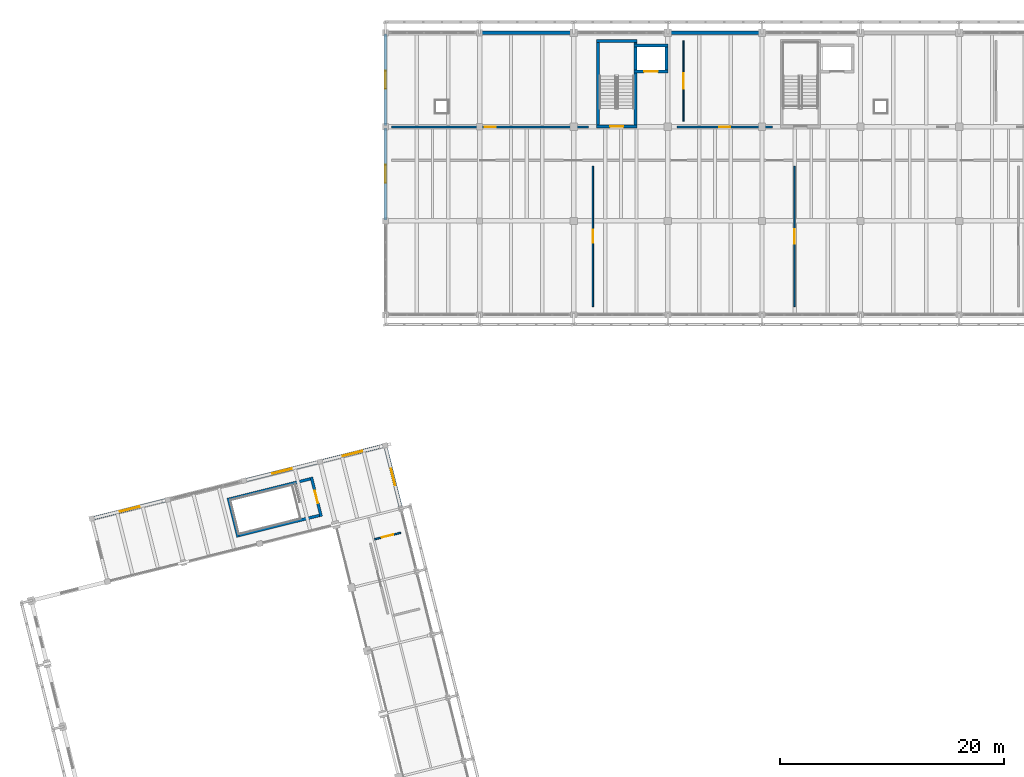
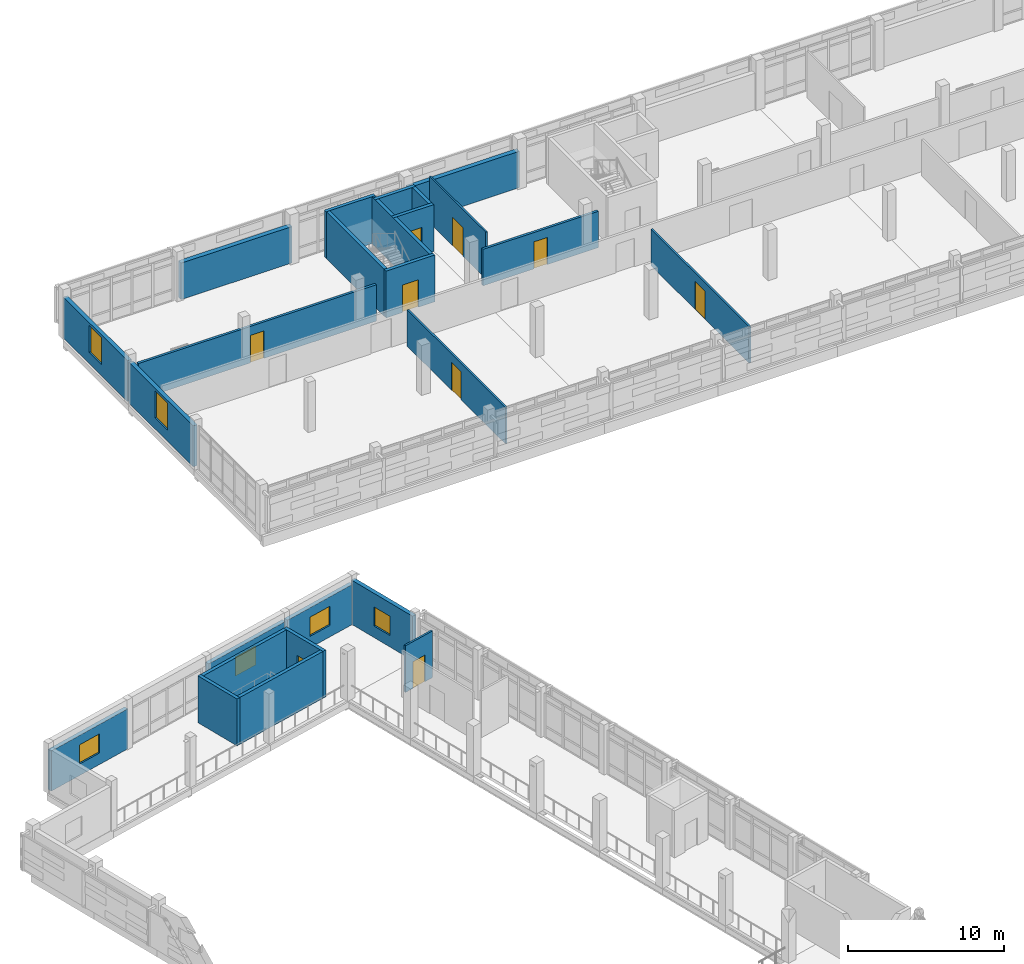
# One storey, part 98 of 117: 25 walls, 9 doors, 6 windows, 15 openings.
"""IFC4 building model written with IfcOpenShell, lengths in metres."""

from ifc_helpers import new_model, si_unit, direction, frame, frame_2d, origin, place, context, subcontext, project, spatial, rectangle, extrude, material, layer, layer_set, type_object, element, fill, save


model = new_model("IFC4")

# Units and contexts
model_context = context("Model", 3, precision=1e-05, world=origin(), true_north=direction((0.0, 1.0)))
body_context = subcontext(model_context, "Body", "Model", "MODEL_VIEW")
ifc_project = project(units=[si_unit("LENGTHUNIT", "METRE"), si_unit("AREAUNIT", "SQUARE_METRE"), si_unit("VOLUMEUNIT", "CUBIC_METRE"), si_unit("PLANEANGLEUNIT", "RADIAN"), si_unit("MASSUNIT", "GRAM", prefix="KILO")], contexts=[model_context])

# Site, building, storey
site_placement = place(None, origin())
site = spatial("IfcSite", under=ifc_project, at=site_placement, CompositionType="ELEMENT")
building_placement = place(site_placement, origin())
building = spatial("IfcBuilding", under=site, at=building_placement, Name="Cinderway Yard Community Centre", CompositionType="ELEMENT")
storey_placement = place(building_placement, frame((0.0, 0.0, 9.0)))
storey = spatial("IfcBuildingStorey", under=building, at=storey_placement, Name="L02", CompositionType="ELEMENT", Elevation=9.0)

# Wall, opening, window
ifc_material_1 = material(Name="Brick Masonry", Category="masonry")
ifc_layer_1 = layer(ifc_material_1, 0.300048828125, Name="Brick Masonry")
ifc_layer_set_1 = layer_set([ifc_layer_1], Name="Brick Masonry")
wall_type_1 = type_object("IfcWallType", Name="ENV-WAL-EXT300", PredefinedType="SOLIDWALL", material=ifc_layer_set_1)
wall_1_placement = place(storey_placement, frame((42.9580078125, 72.81396484375, 0.0), z_axis=(0.0, 0.0, 1.0), x_axis=(-0.242036480393, 0.970267149892, 0.0)))
wall_1 = element("IfcWall", 1, at=wall_1_placement, inside=storey, type_object=wall_type_1, Name="Stage East Wall ENV-WAL-L02-0049", PredefinedType="SOLIDWALL", context=body_context, shape_type="SweptSolid", body=[
    extrude(rectangle(XDim=5.6396484375, YDim=0.300048828125, at=frame_2d((2.81982421875, 0.0))), origin(), (0.0, 0.0, 1.0), 3.449951171875),
])
opening_1_placement = place(wall_1_placement, frame((2.070068359375, 0.0, 0.89990234375)))
opening_1 = element("IfcOpeningElement", 2, at=opening_1_placement, cuts=wall_1, Name="Opening W-02", PredefinedType="OPENING", context=body_context, shape_type="SweptSolid", body=[
    extrude(rectangle(XDim=1.5, YDim=1.5, at=frame_2d((0.75, 0.75))), frame((0.0, 0.159912109375, 0.0), z_axis=(0.0, -1.0, 0.0), x_axis=(1.0, 0.0, 0.0)), (0.0, 0.0, 1.0), 0.320068359375),
])
ifc_material_2 = material(Name="Laminated Low-E Glass", Category="glass")
window_type_1 = type_object("IfcWindowType", Name="ENV-WIN-W02", PartitioningType="DOUBLE_PANEL_VERTICAL", PredefinedType="WINDOW", material=ifc_material_2)
window_1_placement = place(opening_1_placement, origin())
window_1 = element("IfcWindow", 3, at=window_1_placement, inside=storey, type_object=window_type_1, Name="Exterior window ENV-WIN-L02-0037", OverallHeight=1.5, OverallWidth=1.5, PartitioningType="SINGLE_PANEL", PredefinedType="WINDOW", context=body_context, shape_type="SweptSolid", body=[
    extrude(rectangle(XDim=1.5, YDim=1.5, at=frame_2d((0.75, 0.75))), frame((0.0, 0.030029296875, 0.0), z_axis=(0.0, -1.0, 0.0), x_axis=(1.0, 0.0, 0.0)), (0.0, 0.0, 1.0), 0.06005859375),
])
fill(opening_1, window_1)

wall_2_placement = place(storey_placement, frame((15.472900390625, 71.85595703125, 0.0), z_axis=(0.0, 0.0, 1.0), x_axis=(0.970298579828, 0.24191045034, 0.0)))
wall_2 = element("IfcWall", 4, at=wall_2_placement, inside=storey, type_object=wall_type_1, Name="Stage North Wall ENV-WAL-L02-0050", PredefinedType="SOLIDWALL", context=body_context, shape_type="SweptSolid", body=[
    extrude(rectangle(XDim=6.800048828125, YDim=0.300048828125, at=frame_2d((3.39990234375, 0.0))), origin(), (0.0, 0.0, 1.0), 3.135009765625),
])
opening_2_placement = place(wall_2_placement, frame((2.5, 0.0, 0.89990234375)))
opening_2 = element("IfcOpeningElement", 5, at=opening_2_placement, cuts=wall_2, Name="Opening W-03", PredefinedType="OPENING", context=body_context, shape_type="SweptSolid", body=[
    extrude(rectangle(XDim=1.800048828125, YDim=1.5, at=frame_2d((0.89990234375, 0.75))), frame((0.0, 0.159912109375, 0.0), z_axis=(0.0, -1.0, 0.0), x_axis=(1.0, 0.0, 0.0)), (0.0, 0.0, 1.0), 0.320068359375),
])
window_type_2 = type_object("IfcWindowType", Name="ENV-WIN-W03", PartitioningType="DOUBLE_PANEL_VERTICAL", PredefinedType="WINDOW", material=ifc_material_2)
window_2_placement = place(opening_2_placement, origin())
window_2 = element("IfcWindow", 6, at=window_2_placement, inside=storey, type_object=window_type_2, Name="Exterior window ENV-WIN-L02-0038", OverallHeight=1.5, OverallWidth=1.800048828125, PartitioningType="SINGLE_PANEL", PredefinedType="WINDOW", context=body_context, shape_type="SweptSolid", body=[
    extrude(rectangle(XDim=1.800048828125, YDim=1.5, at=frame_2d((0.89990234375, 0.75))), frame((0.0, 0.030029296875, 0.0), z_axis=(0.0, -1.0, 0.0), x_axis=(1.0, 0.0, 0.0)), (0.0, 0.0, 1.0), 0.06005859375),
])
fill(opening_2, window_2)

wall_3_placement = place(storey_placement, frame((29.05810546875, 75.242919921875, 0.0), z_axis=(0.0, 0.0, 1.0), x_axis=(0.970296478685, 0.241918877831, 0.0)))
wall_3 = element("IfcWall", 7, at=wall_3_placement, inside=storey, type_object=wall_type_1, Name="Stage North Wall ENV-WAL-L02-0051", PredefinedType="SOLIDWALL", context=body_context, shape_type="SweptSolid", body=[
    extrude(rectangle(XDim=6.7998046875, YDim=0.300048828125, at=frame_2d((3.39990234375, 0.0))), origin(), (0.0, 0.0, 1.0), 3.135009765625),
])
opening_3_placement = place(wall_3_placement, frame((2.5, 0.0, 0.89990234375)))
opening_3 = element("IfcOpeningElement", 8, at=opening_3_placement, cuts=wall_3, Name="Opening W-03", PredefinedType="OPENING", context=body_context, shape_type="SweptSolid", body=[
    extrude(rectangle(XDim=1.800048828125, YDim=1.5, at=frame_2d((0.89990234375, 0.75))), frame((0.0, 0.159912109375, 0.0), z_axis=(0.0, -1.0, 0.0), x_axis=(1.0, 0.0, 0.0)), (0.0, 0.0, 1.0), 0.320068359375),
])
window_3_placement = place(opening_3_placement, origin())
window_3 = element("IfcWindow", 9, at=window_3_placement, inside=storey, type_object=window_type_2, Name="Exterior window ENV-WIN-L02-0039", OverallHeight=1.5, OverallWidth=1.800048828125, PartitioningType="SINGLE_PANEL", PredefinedType="WINDOW", context=body_context, shape_type="SweptSolid", body=[
    extrude(rectangle(XDim=1.800048828125, YDim=1.5, at=frame_2d((0.89990234375, 0.75))), frame((0.0, 0.030029296875, 0.0), z_axis=(0.0, -1.0, 0.0), x_axis=(1.0, 0.0, 0.0)), (0.0, 0.0, 1.0), 0.06005859375),
])
fill(opening_3, window_3)

wall_4_placement = place(storey_placement, frame((35.85009765625, 76.93701171875, 0.0), z_axis=(0.0, 0.0, 1.0), x_axis=(0.97029090175, 0.241941244896, 0.0)))
wall_4 = element("IfcWall", 10, at=wall_4_placement, inside=storey, type_object=wall_type_1, Name="Stage North Wall ENV-WAL-L02-0052", PredefinedType="SOLIDWALL", context=body_context, shape_type="SweptSolid", body=[
    extrude(rectangle(XDim=5.79931640625, YDim=0.300048828125, at=frame_2d((2.899658203125, 0.0))), origin(), (0.0, 0.0, 1.0), 3.135009765625),
])
opening_4_placement = place(wall_4_placement, frame((2.0, 0.0, 0.89990234375)))
opening_4 = element("IfcOpeningElement", 11, at=opening_4_placement, cuts=wall_4, Name="Opening W-03", PredefinedType="OPENING", context=body_context, shape_type="SweptSolid", body=[
    extrude(rectangle(XDim=1.800048828125, YDim=1.5, at=frame_2d((0.89990234375, 0.75))), frame((0.0, 0.159912109375, 0.0), z_axis=(0.0, -1.0, 0.0), x_axis=(1.0, 0.0, 0.0)), (0.0, 0.0, 1.0), 0.320068359375),
])
window_4_placement = place(opening_4_placement, origin())
window_4 = element("IfcWindow", 12, at=window_4_placement, inside=storey, type_object=window_type_2, Name="Exterior window ENV-WIN-L02-0040", OverallHeight=1.5, OverallWidth=1.800048828125, PartitioningType="SINGLE_PANEL", PredefinedType="WINDOW", context=body_context, shape_type="SweptSolid", body=[
    extrude(rectangle(XDim=1.800048828125, YDim=1.5, at=frame_2d((0.89990234375, 0.75))), frame((0.0, 0.030029296875, 0.0), z_axis=(0.0, -1.0, 0.0), x_axis=(1.0, 0.0, 0.0)), (0.0, 0.0, 1.0), 0.06005859375),
])
fill(opening_4, window_4)

wall_5_placement = place(storey_placement, frame((41.60009765625, 98.5, 0.0), z_axis=(0.0, 0.0, 1.0), x_axis=(0.0, 1.0, 0.0)))
wall_5 = element("IfcWall", 13, at=wall_5_placement, inside=storey, type_object=wall_type_1, Name="V4 West End Wall ENV-WAL-L02-0161", PredefinedType="SOLIDWALL", context=body_context, shape_type="SweptSolid", body=[
    extrude(rectangle(XDim=8.199951171875, YDim=0.300048828125, at=frame_2d((4.10009765625, 0.0))), origin(), (0.0, 0.0, 1.0), 3.195068359375),
])
opening_5_placement = place(wall_5_placement, frame((3.300048828125, 0.0, 0.875)))
opening_5 = element("IfcOpeningElement", 14, at=opening_5_placement, cuts=wall_5, Name="Opening W-14", PredefinedType="OPENING", context=body_context, shape_type="SweptSolid", body=[
    extrude(rectangle(XDim=1.60009765625, YDim=2.10009765625, at=frame_2d((0.800048828125, 1.050048828125))), frame((0.0, 0.159912109375, 0.0), z_axis=(0.0, -1.0, 0.0), x_axis=(1.0, 0.0, 0.0)), (0.0, 0.0, 1.0), 0.320068359375),
])
window_type_3 = type_object("IfcWindowType", Name="ENV-WIN-W14", PartitioningType="DOUBLE_PANEL_VERTICAL", PredefinedType="WINDOW", material=ifc_material_2)
window_5_placement = place(opening_5_placement, origin())
window_5 = element("IfcWindow", 15, at=window_5_placement, inside=storey, type_object=window_type_3, Name="Exterior window ENV-WIN-L02-0107", OverallHeight=2.10009765625, OverallWidth=1.60009765625, PartitioningType="SINGLE_PANEL", PredefinedType="WINDOW", context=body_context, shape_type="SweptSolid", body=[
    extrude(rectangle(XDim=1.60009765625, YDim=2.10009765625, at=frame_2d((0.800048828125, 1.050048828125))), frame((0.0, 0.030029296875, 0.0), z_axis=(0.0, -1.0, 0.0), x_axis=(1.0, 0.0, 0.0)), (0.0, 0.0, 1.0), 0.06005859375),
])
fill(opening_5, window_5)

wall_6_placement = place(storey_placement, frame((41.60009765625, 106.89990234375, 0.0), z_axis=(0.0, 0.0, 1.0), x_axis=(0.0, 1.0, 0.0)))
wall_6 = element("IfcWall", 16, at=wall_6_placement, inside=storey, type_object=wall_type_1, Name="V4 West End Wall ENV-WAL-L02-0162", PredefinedType="SOLIDWALL", context=body_context, shape_type="SweptSolid", body=[
    extrude(rectangle(XDim=8.2001953125, YDim=0.300048828125, at=frame_2d((4.10009765625, 0.0))), origin(), (0.0, 0.0, 1.0), 3.195068359375),
])
opening_6_placement = place(wall_6_placement, frame((3.300048828125, 0.0, 0.875)))
opening_6 = element("IfcOpeningElement", 17, at=opening_6_placement, cuts=wall_6, Name="Opening W-14", PredefinedType="OPENING", context=body_context, shape_type="SweptSolid", body=[
    extrude(rectangle(XDim=1.60009765625, YDim=2.10009765625, at=frame_2d((0.800048828125, 1.050048828125))), frame((0.0, 0.159912109375, 0.0), z_axis=(0.0, -1.0, 0.0), x_axis=(1.0, 0.0, 0.0)), (0.0, 0.0, 1.0), 0.320068359375),
])
window_6_placement = place(opening_6_placement, origin())
window_6 = element("IfcWindow", 18, at=window_6_placement, inside=storey, type_object=window_type_3, Name="Exterior window ENV-WIN-L02-0108", OverallHeight=2.10009765625, OverallWidth=1.60009765625, PartitioningType="SINGLE_PANEL", PredefinedType="WINDOW", context=body_context, shape_type="SweptSolid", body=[
    extrude(rectangle(XDim=1.60009765625, YDim=2.10009765625, at=frame_2d((0.800048828125, 1.050048828125))), frame((0.0, 0.030029296875, 0.0), z_axis=(0.0, -1.0, 0.0), x_axis=(1.0, 0.0, 0.0)), (0.0, 0.0, 1.0), 0.06005859375),
])
fill(opening_6, window_6)

# Walls
ifc_layer_2 = layer(ifc_material_1, 0.340087890625, Name="Brick Masonry")
ifc_layer_set_2 = layer_set([ifc_layer_2], Name="Brick Masonry")
wall_type_2 = type_object("IfcWallType", Name="ENV-WAL-EXT340", PredefinedType="SOLIDWALL", material=ifc_layer_set_2)
wall_7_placement = place(storey_placement, frame((50.10009765625, 115.199951171875, 0.0), z_axis=(0.0, 0.0, 1.0), x_axis=(1.0, 0.0, 0.0)))
element("IfcWall", 19, at=wall_7_placement, inside=storey, type_object=wall_type_2, Name="V4 Street Brick Facade Wall ENV-WAL-L02-0156", PredefinedType="SOLIDWALL", context=body_context, shape_type="SweptSolid", body=[
    extrude(rectangle(XDim=8.199951171875, YDim=0.340087890625, at=frame_2d((4.10009765625, 0.0))), origin(), (0.0, 0.0, 1.0), 2.844970703125),
])
wall_8_placement = place(storey_placement, frame((66.89990234375, 115.199951171875, 0.0), z_axis=(0.0, 0.0, 1.0), x_axis=(1.0, 0.0, 0.0)))
element("IfcWall", 20, at=wall_8_placement, inside=storey, type_object=wall_type_2, Name="V4 Street Brick Facade Wall ENV-WAL-L02-0157", PredefinedType="SOLIDWALL", context=body_context, shape_type="SweptSolid", body=[
    extrude(rectangle(XDim=8.2001953125, YDim=0.340087890625, at=frame_2d((4.10009765625, 0.0))), origin(), (0.0, 0.0, 1.0), 2.844970703125),
])

# Wall, opening, door
ifc_material_3 = material(Name="Gypsum Board Partition", Category="gypsum")
ifc_layer_3 = layer(ifc_material_3, 0.1201171875, Name="Gypsum Board Partition")
ifc_layer_set_3 = layer_set([ifc_layer_3], Name="Gypsum Board Partition")
wall_type_3 = type_object("IfcWallType", Name="INT-WAL-PRT120", PredefinedType="PARTITIONING", material=ifc_layer_set_3)
wall_9_placement = place(storey_placement, frame((68.199951171875, 107.300048828125, 0.0), z_axis=(0.0, 0.0, 1.0), x_axis=(0.0, 1.0, 0.0)))
wall_9 = element("IfcWall", 21, at=wall_9_placement, inside=storey, type_object=wall_type_3, Name="V4 L02 North Room Partition INT-PRT-L02-0314", PredefinedType="PARTITIONING", context=body_context, shape_type="SweptSolid", body=[
    extrude(rectangle(XDim=7.199951171875, YDim=0.1201171875, at=frame_2d((3.60009765625, 0.0))), origin(), (0.0, 0.0, 1.0), 3.64501953125),
])
opening_7_placement = place(wall_9_placement, frame((2.919921875, 0.0, 0.0)))
opening_7 = element("IfcOpeningElement", 22, at=opening_7_placement, cuts=wall_9, Name="Opening D-15", PredefinedType="OPENING", context=body_context, shape_type="SweptSolid", body=[
    extrude(rectangle(XDim=1.360107421875, YDim=2.219970703125, at=frame_2d((0.68017578125, 1.10986328125))), frame((0.0, 0.070068359375, 0.0), z_axis=(0.0, -1.0, 0.0), x_axis=(1.0, 0.0, 0.0)), (0.0, 0.0, 1.0), 0.14013671875),
])
ifc_material_4 = material(Name="Hardwood Timber", Category="wood")
door_type_1 = type_object("IfcDoorType", Name="INT-DOR-STU136", OperationType="DOUBLE_DOOR_SINGLE_SWING", PredefinedType="DOOR", material=ifc_material_4)
door_1_placement = place(opening_7_placement, origin())
door_1 = element("IfcDoor", 23, at=door_1_placement, inside=storey, type_object=door_type_1, Name="Room door INT-DOR-L02-0228", OperationType="DOUBLE_DOOR_SINGLE_SWING", OverallHeight=2.219970703125, OverallWidth=1.360107421875, PredefinedType="DOOR", context=body_context, shape_type="SweptSolid", body=[
    extrude(rectangle(XDim=1.360107421875, YDim=2.219970703125, at=frame_2d((0.68017578125, 1.10986328125))), frame((0.0, 0.02490234375, 0.0), z_axis=(0.0, -1.0, 0.0), x_axis=(1.0, 0.0, 0.0)), (0.0, 0.0, 1.0), 0.050048828125),
])
fill(opening_7, door_1)

ifc_layer_4 = layer(ifc_material_3, 0.139892578125, Name="Gypsum Board Partition")
ifc_layer_set_4 = layer_set([ifc_layer_4], Name="Gypsum Board Partition")
wall_type_4 = type_object("IfcWallType", Name="INT-WAL-PRT140", PredefinedType="PARTITIONING", material=ifc_layer_set_4)
wall_10_placement = place(storey_placement, frame((40.6240234375, 69.985107421875, 0.0), z_axis=(0.0, 0.0, 1.0), x_axis=(0.970327865017, 0.241792957656, 0.0)))
wall_10 = element("IfcWall", 24, at=wall_10_placement, inside=storey, type_object=wall_type_4, Name="V1 Gallery Sanitary Partition INT-PRT-L02-0248", PredefinedType="PARTITIONING", context=body_context, shape_type="SweptSolid", body=[
    extrude(rectangle(XDim=2.39794921875, YDim=0.139892578125, at=frame_2d((1.198974609375, 0.0))), origin(), (0.0, 0.0, 1.0), 3.64501953125),
])
opening_8_placement = place(wall_10_placement, frame((0.678955078125, 0.0, 0.0)))
opening_8 = element("IfcOpeningElement", 25, at=opening_8_placement, cuts=wall_10, Name="Opening D-17", PredefinedType="OPENING", context=body_context, shape_type="SweptSolid", body=[
    extrude(rectangle(XDim=1.0400390625, YDim=2.080078125, at=frame_2d((0.52001953125, 1.0400390625))), frame((0.0, 0.079833984375, 0.0), z_axis=(0.0, -1.0, 0.0), x_axis=(1.0, 0.0, 0.0)), (0.0, 0.0, 1.0), 0.159912109375),
])
door_type_2 = type_object("IfcDoorType", Name="INT-DOR-NUR104", OperationType="NOTDEFINED", PredefinedType="DOOR", material=ifc_material_4)
door_2_placement = place(opening_8_placement, origin())
door_2 = element("IfcDoor", 26, at=door_2_placement, inside=storey, type_object=door_type_2, Name="Room door INT-DOR-L02-0196", OperationType="SINGLE_SWING_RIGHT", OverallHeight=2.080078125, OverallWidth=1.0400390625, PredefinedType="DOOR", context=body_context, shape_type="SweptSolid", body=[
    extrude(rectangle(XDim=1.0400390625, YDim=2.080078125, at=frame_2d((0.52001953125, 1.0400390625))), frame((0.0, 0.02490234375, 0.0), z_axis=(0.0, -1.0, 0.0), x_axis=(1.0, 0.0, 0.0)), (0.0, 0.0, 1.0), 0.050048828125),
])
fill(opening_8, door_2)

wall_11_placement = place(storey_placement, frame((60.10009765625, 90.75, 0.0), z_axis=(0.0, 0.0, 1.0), x_axis=(0.0, 1.0, 0.0)))
wall_11 = element("IfcWall", 27, at=wall_11_placement, inside=storey, type_object=wall_type_4, Name="V4 L02 South Room Partition INT-PRT-L02-0310", PredefinedType="PARTITIONING", context=body_context, shape_type="SweptSolid", body=[
    extrude(rectangle(XDim=12.550048828125, YDim=0.139892578125, at=frame_2d((6.27490234375, 0.0))), origin(), (0.0, 0.0, 1.0), 2.844970703125),
])
opening_9_placement = place(wall_11_placement, frame((5.68505859375, 0.0, 0.0)))
opening_9 = element("IfcOpeningElement", 28, at=opening_9_placement, cuts=wall_11, Name="Opening D-11", PredefinedType="OPENING", context=body_context, shape_type="SweptSolid", body=[
    extrude(rectangle(XDim=1.179931640625, YDim=2.179931640625, at=frame_2d((0.58984375, 1.08984375))), frame((0.0, 0.079833984375, 0.0), z_axis=(0.0, -1.0, 0.0), x_axis=(1.0, 0.0, 0.0)), (0.0, 0.0, 1.0), 0.159912109375),
])
ifc_material_5 = material(Name="Painted Galvanised Steel", Category="steel")
door_type_3 = type_object("IfcDoorType", Name="INT-DOR-STR118", OperationType="NOTDEFINED", PredefinedType="DOOR", material=ifc_material_5)
door_3_placement = place(opening_9_placement, origin())
door_3 = element("IfcDoor", 29, at=door_3_placement, inside=storey, type_object=door_type_3, Name="Room door INT-DOR-L02-0224", OperationType="SINGLE_SWING_LEFT", OverallHeight=2.179931640625, OverallWidth=1.179931640625, PredefinedType="DOOR", context=body_context, shape_type="SweptSolid", body=[
    extrude(rectangle(XDim=1.179931640625, YDim=2.179931640625, at=frame_2d((0.58984375, 1.08984375))), frame((0.0, 0.02490234375, 0.0), z_axis=(0.0, -1.0, 0.0), x_axis=(1.0, 0.0, 0.0)), (0.0, 0.0, 1.0), 0.050048828125),
])
fill(opening_9, door_3)

wall_12_placement = place(storey_placement, frame((78.10009765625, 90.75, 0.0), z_axis=(0.0, 0.0, 1.0), x_axis=(0.0, 1.0, 0.0)))
wall_12 = element("IfcWall", 30, at=wall_12_placement, inside=storey, type_object=wall_type_4, Name="V4 L02 South Room Partition INT-PRT-L02-0311", PredefinedType="PARTITIONING", context=body_context, shape_type="SweptSolid", body=[
    extrude(rectangle(XDim=12.550048828125, YDim=0.139892578125, at=frame_2d((6.27490234375, 0.0))), origin(), (0.0, 0.0, 1.0), 2.844970703125),
])
opening_10_placement = place(wall_12_placement, frame((5.625, 0.0, 0.0)))
opening_10 = element("IfcOpeningElement", 31, at=opening_10_placement, cuts=wall_12, Name="Opening D-12", PredefinedType="OPENING", context=body_context, shape_type="SweptSolid", body=[
    extrude(rectangle(XDim=1.300048828125, YDim=2.199951171875, at=frame_2d((0.64990234375, 1.10009765625))), frame((0.0, 0.079833984375, 0.0), z_axis=(0.0, -1.0, 0.0), x_axis=(1.0, 0.0, 0.0)), (0.0, 0.0, 1.0), 0.159912109375),
])
door_type_4 = type_object("IfcDoorType", Name="INT-DOR-PLT130", OperationType="NOTDEFINED", PredefinedType="DOOR", material=ifc_material_5)
door_4_placement = place(opening_10_placement, origin())
door_4 = element("IfcDoor", 32, at=door_4_placement, inside=storey, type_object=door_type_4, Name="Room door INT-DOR-L02-0225", OperationType="SINGLE_SWING_RIGHT", OverallHeight=2.199951171875, OverallWidth=1.300048828125, PredefinedType="DOOR", context=body_context, shape_type="SweptSolid", body=[
    extrude(rectangle(XDim=1.300048828125, YDim=2.199951171875, at=frame_2d((0.64990234375, 1.10009765625))), frame((0.0, 0.02490234375, 0.0), z_axis=(0.0, -1.0, 0.0), x_axis=(1.0, 0.0, 0.0)), (0.0, 0.0, 1.0), 0.050048828125),
])
fill(opening_10, door_4)

ifc_layer_5 = layer(ifc_material_1, 0.179931640625, Name="Brick Masonry")
ifc_layer_set_5 = layer_set([ifc_layer_5], Name="Brick Masonry")
wall_type_5 = type_object("IfcWallType", Name="INT-WAL-PRT180", PredefinedType="PARTITIONING", material=ifc_layer_set_5)
wall_13_placement = place(storey_placement, frame((42.14990234375, 106.800048828125, 0.0), z_axis=(0.0, 0.0, 1.0), x_axis=(1.0, 0.0, 0.0)))
wall_13 = element("IfcWall", 33, at=wall_13_placement, inside=storey, type_object=wall_type_5, Name="V4 L02 North Corridor Spine INT-PRT-L02-0306", PredefinedType="PARTITIONING", context=body_context, shape_type="SweptSolid", body=[
    extrude(rectangle(XDim=17.580078125, YDim=0.179931640625, at=frame_2d((8.7900390625, 0.0))), origin(), (0.0, 0.0, 1.0), 2.844970703125),
])
opening_11_placement = place(wall_13_placement, frame((8.2900390625, 0.0, 0.0)))
opening_11 = element("IfcOpeningElement", 34, at=opening_11_placement, cuts=wall_13, Name="Opening D-05", PredefinedType="OPENING", context=body_context, shape_type="SweptSolid", body=[
    extrude(rectangle(XDim=1.0, YDim=2.139892578125, at=frame_2d((0.5, 1.06982421875))), frame((0.0, 0.099853515625, 0.0), z_axis=(0.0, -1.0, 0.0), x_axis=(1.0, 0.0, 0.0)), (0.0, 0.0, 1.0), 0.199951171875),
])
door_type_5 = type_object("IfcDoorType", Name="INT-DOR-CLS100", OperationType="NOTDEFINED", PredefinedType="DOOR", material=ifc_material_4)
door_5_placement = place(opening_11_placement, origin())
door_5 = element("IfcDoor", 35, at=door_5_placement, inside=storey, type_object=door_type_5, Name="Room door INT-DOR-L02-0218", OperationType="SINGLE_SWING_LEFT", OverallHeight=2.139892578125, OverallWidth=1.0, PredefinedType="DOOR", context=body_context, shape_type="SweptSolid", body=[
    extrude(rectangle(XDim=1.0, YDim=2.139892578125, at=frame_2d((0.5, 1.06982421875))), frame((0.0, 0.02490234375, 0.0), z_axis=(0.0, -1.0, 0.0), x_axis=(1.0, 0.0, 0.0)), (0.0, 0.0, 1.0), 0.050048828125),
])
fill(opening_11, door_5)

wall_14_placement = place(storey_placement, frame((67.60009765625, 106.800048828125, 0.0), z_axis=(0.0, 0.0, 1.0), x_axis=(1.0, 0.0, 0.0)))
wall_14 = element("IfcWall", 36, at=wall_14_placement, inside=storey, type_object=wall_type_5, Name="V4 L02 North Corridor Spine INT-PRT-L02-0307", PredefinedType="PARTITIONING", context=body_context, shape_type="SweptSolid", body=[
    extrude(rectangle(XDim=8.52978515625, YDim=0.179931640625, at=frame_2d((4.264892578125, 0.0))), origin(), (0.0, 0.0, 1.0), 2.844970703125),
])
opening_12_placement = place(wall_14_placement, frame((3.77490234375, 0.0, 0.0)))
opening_12 = element("IfcOpeningElement", 37, at=opening_12_placement, cuts=wall_14, Name="Opening D-06", PredefinedType="OPENING", context=body_context, shape_type="SweptSolid", body=[
    extrude(rectangle(XDim=0.97998046875, YDim=2.1201171875, at=frame_2d((0.489990234375, 1.06005859375))), frame((0.0, 0.099853515625, 0.0), z_axis=(0.0, -1.0, 0.0), x_axis=(1.0, 0.0, 0.0)), (0.0, 0.0, 1.0), 0.199951171875),
])
door_type_6 = type_object("IfcDoorType", Name="INT-DOR-OFF098", OperationType="NOTDEFINED", PredefinedType="DOOR", material=ifc_material_4)
door_6_placement = place(opening_12_placement, origin())
door_6 = element("IfcDoor", 38, at=door_6_placement, inside=storey, type_object=door_type_6, Name="Room door INT-DOR-L02-0219", OperationType="SINGLE_SWING_RIGHT", OverallHeight=2.1201171875, OverallWidth=0.97998046875, PredefinedType="DOOR", context=body_context, shape_type="SweptSolid", body=[
    extrude(rectangle(XDim=0.97998046875, YDim=2.1201171875, at=frame_2d((0.489990234375, 1.06005859375))), frame((0.0, 0.02490234375, 0.0), z_axis=(0.0, -1.0, 0.0), x_axis=(1.0, 0.0, 0.0)), (0.0, 0.0, 1.0), 0.050048828125),
])
fill(opening_12, door_6)

ifc_material_6 = material(Name="Concrete C40/50", Category="concrete")
ifc_layer_6 = layer(ifc_material_6, 0.25, Name="Concrete C40/50")
ifc_layer_set_6 = layer_set([ifc_layer_6], Name="Concrete C40/50")
wall_type_6 = type_object("IfcWallType", Name="INT-WAL-SHR250", PredefinedType="SHEAR", material=ifc_layer_set_6)
wall_15_placement = place(storey_placement, frame((64.044921875, 106.830078125, 0.0), z_axis=(0.0, 0.0, 1.0), x_axis=(-1.0, 0.0, 0.0)))
wall_15 = element("IfcWall", 39, at=wall_15_placement, inside=storey, type_object=wall_type_6, Name="Stair ST-01 Entry Wall INT-WAL-L02-0009", PredefinedType="SHEAR", context=body_context, shape_type="SweptSolid", body=[
    extrude(rectangle(XDim=3.60986328125, YDim=0.25, at=frame_2d((1.804931640625, 0.0))), origin(), (0.0, 0.0, 1.0), 3.659912109375),
])
opening_13_placement = place(wall_15_placement, frame((1.205078125, 0.0, 0.0)))
opening_13 = element("IfcOpeningElement", 40, at=opening_13_placement, cuts=wall_15, Name="Opening D-ST1", PredefinedType="OPENING", context=body_context, shape_type="SweptSolid", body=[
    extrude(rectangle(XDim=1.199951171875, YDim=2.14990234375, at=frame_2d((0.60009765625, 1.074951171875))), frame((0.0, 0.135009765625, 0.0), z_axis=(0.0, -1.0, 0.0), x_axis=(1.0, 0.0, 0.0)), (0.0, 0.0, 1.0), 0.27001953125),
])
door_type_7 = type_object("IfcDoorType", Name="INT-DOR-ST120", OperationType="NOTDEFINED", PredefinedType="DOOR", material=ifc_material_5)
door_7_placement = place(opening_13_placement, origin())
door_7 = element("IfcDoor", 41, at=door_7_placement, inside=storey, type_object=door_type_7, Name="Core door INT-DOR-L02-0003", OperationType="SINGLE_SWING_LEFT", OverallHeight=2.14990234375, OverallWidth=1.199951171875, PredefinedType="DOOR", context=body_context, shape_type="SweptSolid", body=[
    extrude(rectangle(XDim=1.199951171875, YDim=2.14990234375, at=frame_2d((0.60009765625, 1.074951171875))), frame((0.0, 0.02490234375, 0.0), z_axis=(0.0, -1.0, 0.0), x_axis=(1.0, 0.0, 0.0)), (0.0, 0.0, 1.0), 0.050048828125),
])
fill(opening_13, door_7)

# Walls
wall_16_placement = place(storey_placement, frame((60.43505859375, 114.469970703125, 0.0), z_axis=(0.0, 0.0, 1.0), x_axis=(1.0, 0.0, 0.0)))
element("IfcWall", 42, at=wall_16_placement, inside=storey, type_object=wall_type_6, Name="Stair ST-01 Back Wall INT-WAL-L02-0010", PredefinedType="SHEAR", context=body_context, shape_type="SweptSolid", body=[
    extrude(rectangle(XDim=3.60986328125, YDim=0.25, at=frame_2d((1.804931640625, 0.0))), origin(), (0.0, 0.0, 1.0), 3.659912109375),
])
for number, where, z_axis, x_axis, name in (
    (43, (60.56005859375, 106.955078125, 0.0), (0.0, 0.0, 1.0), (0.0, 1.0, 0.0), "Stair ST-01 Side Wall L INT-WAL-L02-0011"),
    (44, (63.919921875, 114.344970703125, 0.0), (0.0, 0.0, 1.0), (0.0, -1.0, 0.0), "Stair ST-01 Side Wall R INT-WAL-L02-0012"),
):
    element("IfcWall", number, at=place(storey_placement, frame(where, z_axis=z_axis, x_axis=x_axis)), inside=storey, type_object=wall_type_6, Name=name, PredefinedType="SHEAR", context=body_context, shape_type="SweptSolid", body=[
        extrude(rectangle(XDim=7.389892578125, YDim=0.25, at=frame_2d((3.69482421875, 0.0))), origin(), (0.0, 0.0, 1.0), 3.659912109375),
    ])

# Wall, opening, door
wall_17_placement = place(storey_placement, frame((63.800048828125, 111.72998046875, 0.0), z_axis=(0.0, 0.0, 1.0), x_axis=(1.0, 0.0, 0.0)))
wall_17 = element("IfcWall", 45, at=wall_17_placement, inside=storey, type_object=wall_type_6, Name="Lift LF-01 South Wall INT-WAL-L02-0031", PredefinedType="SHEAR", context=body_context, shape_type="SweptSolid", body=[
    extrude(rectangle(XDim=3.0, YDim=0.25, at=frame_2d((1.5, 0.0))), origin(), (0.0, 0.0, 1.0), 3.659912109375),
])
opening_14_placement = place(wall_17_placement, frame((0.889892578125, 0.0, 0.0)))
opening_14 = element("IfcOpeningElement", 46, at=opening_14_placement, cuts=wall_17, Name="Opening LD-02", PredefinedType="OPENING", context=body_context, shape_type="SweptSolid", body=[
    extrude(rectangle(XDim=1.219970703125, YDim=2.179931640625, at=frame_2d((0.60986328125, 1.08984375))), frame((0.0, 0.135009765625, 0.0), z_axis=(0.0, -1.0, 0.0), x_axis=(1.0, 0.0, 0.0)), (0.0, 0.0, 1.0), 0.27001953125),
])
door_type_8 = type_object("IfcDoorType", Name="INT-DOR-LD02", OperationType="SLIDING_TO_RIGHT", PredefinedType="DOOR", material=ifc_material_5)
door_8_placement = place(opening_14_placement, origin())
door_8 = element("IfcDoor", 47, at=door_8_placement, inside=storey, type_object=door_type_8, Name="Lift landing door INT-DOR-L02-0009", OperationType="SLIDING_TO_RIGHT", OverallHeight=2.179931640625, OverallWidth=1.219970703125, PredefinedType="DOOR", context=body_context, shape_type="SweptSolid", body=[
    extrude(rectangle(XDim=1.219970703125, YDim=2.179931640625, at=frame_2d((0.60986328125, 1.08984375))), frame((0.0, 0.02490234375, 0.0), z_axis=(0.0, -1.0, 0.0), x_axis=(1.0, 0.0, 0.0)), (0.0, 0.0, 1.0), 0.050048828125),
])
fill(opening_14, door_8)

# Walls
wall_18_placement = place(storey_placement, frame((66.800048828125, 114.070068359375, 0.0), z_axis=(0.0, 0.0, 1.0), x_axis=(-1.0, 0.0, 0.0)))
element("IfcWall", 48, at=wall_18_placement, inside=storey, type_object=wall_type_6, Name="Lift LF-01 North Wall INT-WAL-L02-0032", PredefinedType="SHEAR", context=body_context, shape_type="SweptSolid", body=[
    extrude(rectangle(XDim=3.0, YDim=0.25, at=frame_2d((1.5, 0.0))), origin(), (0.0, 0.0, 1.0), 3.659912109375),
])
wall_19_placement = place(storey_placement, frame((66.669921875, 111.860107421875, 0.0), z_axis=(0.0, 0.0, 1.0), x_axis=(0.0, 1.0, 0.0)))
element("IfcWall", 49, at=wall_19_placement, inside=storey, type_object=wall_type_6, Name="Lift LF-01 East Wall INT-WAL-L02-0033", PredefinedType="SHEAR", context=body_context, shape_type="SweptSolid", body=[
    extrude(rectangle(XDim=2.079833984375, YDim=0.25, at=frame_2d((1.0400390625, 0.0))), origin(), (0.0, 0.0, 1.0), 3.659912109375),
])

# Wall, opening, door
wall_20_placement = place(storey_placement, frame((34.98388671875, 75.531005859375, 0.0), z_axis=(0.0, 0.0, 1.0), x_axis=(0.242090083699, -0.97025377679, 0.0)))
wall_20 = element("IfcWall", 50, at=wall_20_placement, inside=storey, type_object=wall_type_6, Name="Stair ST-06 Entry Wall INT-WAL-L02-0157", PredefinedType="SHEAR", context=body_context, shape_type="SweptSolid", body=[
    extrude(rectangle(XDim=3.6103515625, YDim=0.25, at=frame_2d((1.80517578125, 0.0))), origin(), (0.0, 0.0, 1.0), 3.659912109375),
])
opening_15_placement = place(wall_20_placement, frame((1.235107421875, 0.0, 0.0)))
opening_15 = element("IfcOpeningElement", 51, at=opening_15_placement, cuts=wall_20, Name="Opening D-ST2", PredefinedType="OPENING", context=body_context, shape_type="SweptSolid", body=[
    extrude(rectangle(XDim=1.139892578125, YDim=2.14990234375, at=frame_2d((0.56982421875, 1.074951171875))), frame((0.0, 0.135009765625, 0.0), z_axis=(0.0, -1.0, 0.0), x_axis=(1.0, 0.0, 0.0)), (0.0, 0.0, 1.0), 0.27001953125),
])
door_type_9 = type_object("IfcDoorType", Name="INT-DOR-ST114", OperationType="NOTDEFINED", PredefinedType="DOOR", material=ifc_material_5)
door_9_placement = place(opening_15_placement, origin())
door_9 = element("IfcDoor", 52, at=door_9_placement, inside=storey, type_object=door_type_9, Name="Core door INT-DOR-L02-0043", OperationType="SINGLE_SWING_RIGHT", OverallHeight=2.14990234375, OverallWidth=1.139892578125, PredefinedType="DOOR", context=body_context, shape_type="SweptSolid", body=[
    extrude(rectangle(XDim=1.139892578125, YDim=2.14990234375, at=frame_2d((0.56982421875, 1.074951171875))), frame((0.0, 0.02490234375, 0.0), z_axis=(0.0, -1.0, 0.0), x_axis=(1.0, 0.0, 0.0)), (0.0, 0.0, 1.0), 0.050048828125),
])
fill(opening_15, door_9)

# Walls
wall_21_placement = place(storey_placement, frame((28.444091796875, 70.179931640625, 0.0), z_axis=(0.0, 0.0, 1.0), x_axis=(-0.241898912952, 0.970301456204, 0.0)))
element("IfcWall", 53, at=wall_21_placement, inside=storey, type_object=wall_type_6, Name="Stair ST-06 Back Wall INT-WAL-L02-0158", PredefinedType="SHEAR", context=body_context, shape_type="SweptSolid", body=[
    extrude(rectangle(XDim=3.609130859375, YDim=0.25, at=frame_2d((1.8046875, 0.0))), origin(), (0.0, 0.0, 1.0), 3.659912109375),
])
wall_22_placement = place(storey_placement, frame((35.7060546875, 72.118896484375, 0.0), z_axis=(0.0, 0.0, 1.0), x_axis=(-0.970299691856, -0.241905989972, 0.0)))
element("IfcWall", 54, at=wall_22_placement, inside=storey, type_object=wall_type_6, Name="Stair ST-06 Side Wall L INT-WAL-L02-0159", PredefinedType="SHEAR", context=body_context, shape_type="SweptSolid", body=[
    extrude(rectangle(XDim=7.390625, YDim=0.25, at=frame_2d((3.6953125, 0.0))), origin(), (0.0, 0.0, 1.0), 3.659912109375),
])
wall_23_placement = place(storey_placement, frame((27.722900390625, 73.591064453125, 0.0), z_axis=(0.0, 0.0, 1.0), x_axis=(0.970291958031, 0.241937008705, 0.0)))
element("IfcWall", 55, at=wall_23_placement, inside=storey, type_object=wall_type_6, Name="Stair ST-06 Side Wall R INT-WAL-L02-0160", PredefinedType="SHEAR", context=body_context, shape_type="SweptSolid", body=[
    extrude(rectangle(XDim=7.3896484375, YDim=0.25, at=frame_2d((3.69482421875, 0.0))), origin(), (0.0, 0.0, 1.0), 3.659912109375),
])

save(model, "model.ifc")
